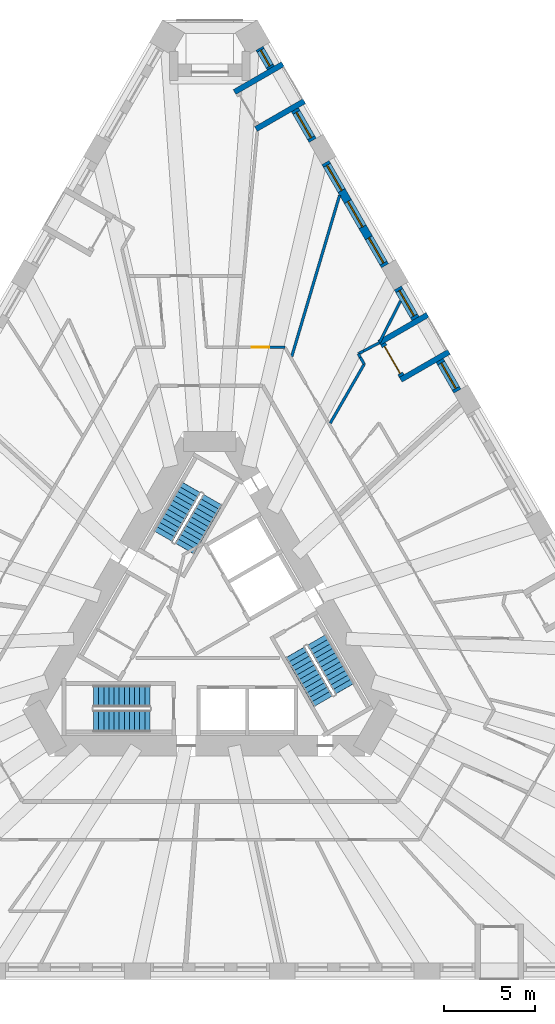
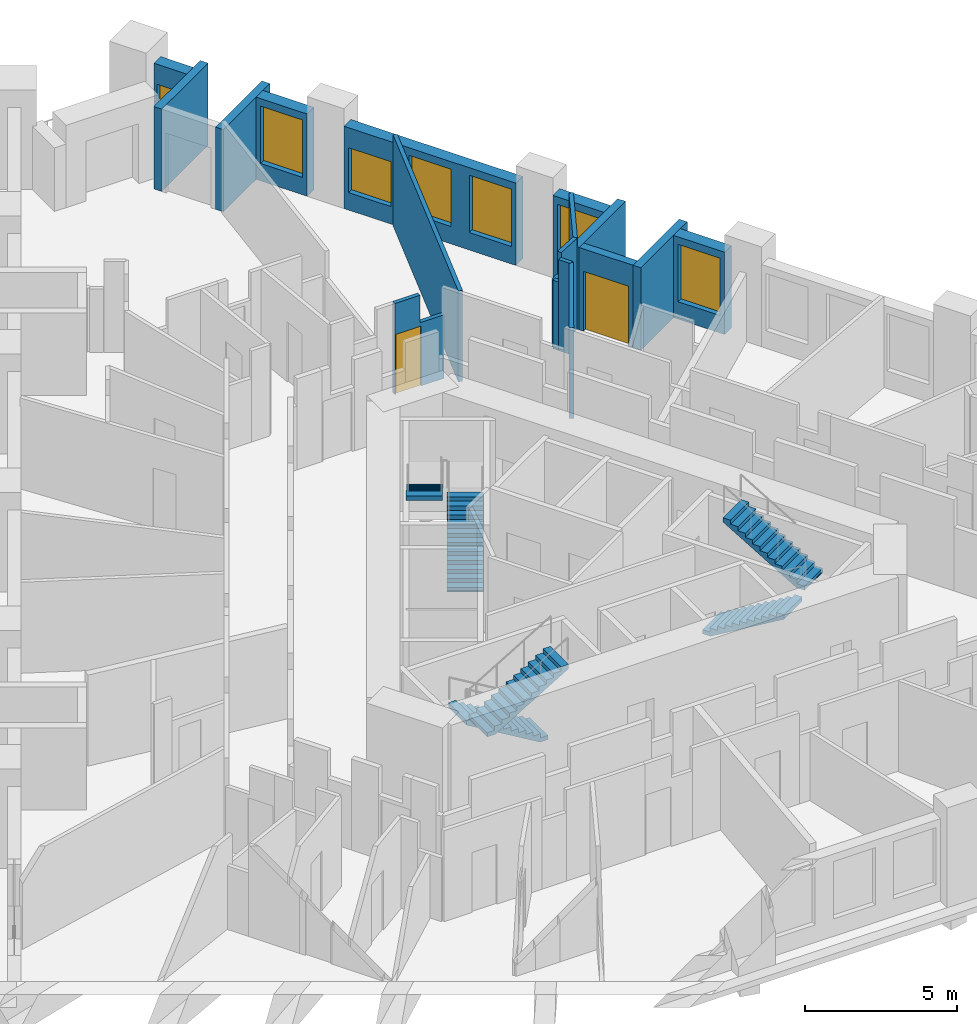
# One storey, part 10 of 14: 18 walls, 7 windows, 6 stair flights, 2 doors, 9 openings, 3 elements without a shape of their own.
"""IFC4 building model written with IfcOpenShell, lengths in metres."""

import ifcopenshell
import ifcopenshell.guid

model = None  # the IFC model being written
_history = None  # IfcOwnerHistory: only IFC2X3 demands one
_inside = {}  # id of a spatial element -> (the spatial element, [elements in it])
_under = {}  # id of a project, library or spatial element -> (it, [spatial elements below it])
_declared = {}  # id of a project -> (the project, [libraries it declares])
_typed = {}  # id of a type object -> (the type object, [elements of that type])
_made_of = {}  # id of a material, layer set ... -> (it, [elements and type objects made of it])


def new_model(schema):
    """Start an empty IFC model of exactly this schema.

    Asked for "IFC4X3", IfcOpenShell would pick the latest addendum, in which some entities
    have other attributes; the version numbers below select the first issue.
    IFC2X3 requires an IfcOwnerHistory on every rooted entity: one is made here for all.
    """
    global model, _history
    if schema == "IFC4X3":
        model = ifcopenshell.file(schema_version=(4, 3, 0, 0))
    else:
        model = ifcopenshell.file(schema=schema)
    _inside.clear()
    _under.clear()
    _declared.clear()
    _typed.clear()
    _made_of.clear()
    _history = None
    if model.schema == "IFC2X3":
        org = make("IfcOrganization", Name="unknown")
        user = make(
            "IfcPersonAndOrganization",
            ThePerson=make("IfcPerson", FamilyName="unknown"),
            TheOrganization=org,
        )
        app = make(
            "IfcApplication",
            ApplicationDeveloper=org,
            Version="unknown",
            ApplicationFullName="unknown",
            ApplicationIdentifier="unknown",
        )
        _history = make(
            "IfcOwnerHistory",
            OwningUser=user,
            OwningApplication=app,
            ChangeAction="ADDED",
            CreationDate=0,
        )
    return model


def make(cls, **values):
    """One entity of the class cls with the attributes given. An attribute that is None is left unset."""
    return model.create_entity(
        cls, **{name: value for name, value in values.items() if value is not None}
    )


def rooted(cls, **values):
    """An entity with a GlobalId (a new one), such as an element, a storey or a relation."""
    return make(cls, GlobalId=ifcopenshell.guid.new(), OwnerHistory=_history, **values)


def si_unit(unit_type, name, prefix=None):
    """IfcSIUnit, for example si_unit("LENGTHUNIT", "METRE", prefix="MILLI")."""
    return make("IfcSIUnit", UnitType=unit_type, Prefix=prefix, Name=name)


def assignment(units):
    """IfcUnitAssignment: the units of a project."""
    return None if units is None else make("IfcUnitAssignment", Units=units)


def point(xyz):
    """IfcCartesianPoint."""
    return None if xyz is None else make("IfcCartesianPoint", Coordinates=xyz)


def direction(xyz):
    """IfcDirection."""
    return None if xyz is None else make("IfcDirection", DirectionRatios=xyz)


def frame(location, z_axis=None, x_axis=None):
    """IfcAxis2Placement3D, a coordinate frame: its origin and axes. An axis left out is left unset."""
    return make(
        "IfcAxis2Placement3D",
        Location=point(location),
        Axis=direction(z_axis),
        RefDirection=direction(x_axis),
    )


def frame_2d(location, x_axis=None):
    """IfcAxis2Placement2D, a coordinate frame in the plane: its origin and x axis."""
    return make(
        "IfcAxis2Placement2D", Location=point(location), RefDirection=direction(x_axis)
    )


def origin():
    """The frame at (0, 0, 0) with its axes left unset."""
    return frame((0.0, 0.0, 0.0))


def place(relative_to, where):
    """IfcLocalPlacement: puts the frame where relative to a parent placement (None: the world)."""
    return make(
        "IfcLocalPlacement", PlacementRelTo=relative_to, RelativePlacement=where
    )


def context(
    kind, dimensions, precision=None, world=None, true_north=None, identifier=None
):
    """IfcGeometricRepresentationContext, for example the 3D "Model" context."""
    return make(
        "IfcGeometricRepresentationContext",
        ContextIdentifier=identifier,
        ContextType=kind,
        CoordinateSpaceDimension=dimensions,
        Precision=precision,
        WorldCoordinateSystem=world,
        TrueNorth=true_north,
    )


def subcontext(parent, identifier, kind, view, scale=None):
    """IfcGeometricRepresentationSubContext, for example "Body" below "Model"."""
    return make(
        "IfcGeometricRepresentationSubContext",
        ContextIdentifier=identifier,
        ContextType=kind,
        ParentContext=parent,
        TargetScale=scale,
        TargetView=view,
    )


def project(units=None, contexts=None):
    """IfcProject with its units and contexts."""
    return rooted(
        "IfcProject",
        Name="project",
        RepresentationContexts=contexts,
        UnitsInContext=assignment(units),
    )


def spatial(cls, under=None, at=None, **own):
    """A site, building, storey or space (cls), placed at a placement, below another one or the project."""
    s = rooted(cls, ObjectPlacement=at, **own)
    if under is not None:
        _under.setdefault(under.id(), (under, []))[1].append(s)
    return s


def polyline(points):
    """IfcPolyline through the points."""
    return make("IfcPolyline", Points=[point(p) for p in points])


def profile(cls, at=None, kind="AREA", **sizes):
    """A parametric profile (cls). Its sizes go by their IFC names, for example OverallWidth=200.0."""
    return make(cls, ProfileType=kind, Position=at, **sizes)


def rectangle(**sizes):
    """IfcRectangleProfileDef."""
    return profile("IfcRectangleProfileDef", **sizes)


def outline(outer, holes=None, kind="AREA"):
    """IfcArbitraryClosedProfileDef: a profile drawn as a closed curve; with holes, ...WithVoids."""
    if holes is None:
        return make("IfcArbitraryClosedProfileDef", ProfileType=kind, OuterCurve=outer)
    return make(
        "IfcArbitraryProfileDefWithVoids",
        ProfileType=kind,
        OuterCurve=outer,
        InnerCurves=holes,
    )


def extrude(swept, where, along, depth):
    """IfcExtrudedAreaSolid: the profile swept, set in the frame where, extruded along a direction by depth."""
    return make(
        "IfcExtrudedAreaSolid",
        SweptArea=swept,
        Position=where,
        ExtrudedDirection=direction(along),
        Depth=depth,
    )


def shape(context_of_items, identifier, shape_type, items):
    """IfcShapeRepresentation: the items that make up one representation, for example the "Body"."""
    return make(
        "IfcShapeRepresentation",
        ContextOfItems=context_of_items,
        RepresentationIdentifier=identifier,
        RepresentationType=shape_type,
        Items=items,
    )


def material(Name=None, Category=None):
    """IfcMaterial."""
    return make("IfcMaterial", Name=Name, Category=Category)


def layer(
    of_material, thickness, ventilated=None, Name=None, Category=None, Priority=None
):
    """IfcMaterialLayer: one layer of a wall or slab, of a material (None: an air gap)."""
    return make(
        "IfcMaterialLayer",
        Material=of_material,
        LayerThickness=thickness,
        IsVentilated=ventilated,
        Name=Name,
        Category=Category,
        Priority=Priority,
    )


def layer_set(layers, Name=None):
    """IfcMaterialLayerSet."""
    return make("IfcMaterialLayerSet", MaterialLayers=layers, LayerSetName=Name)


def made_of(thing, what):
    """Note that an element or type object is made of a material, layer set ...; save() writes the relation."""
    if what is not None:
        _made_of.setdefault(what.id(), (what, []))[1].append(thing)
    return thing


def type_object(cls, material=None, **own):
    """A type object (cls), such as IfcWallType, which elements share."""
    return made_of(rooted(cls, **own), material)


def element(
    cls,
    number,
    at=None,
    inside=None,
    cuts=None,
    type_object=None,
    material=None,
    context=None,
    identifier="Body",
    shape_type=None,
    held_by="IfcProductDefinitionShape",
    body=None,
    shapes=None,
    **own,
):
    """One element of the class cls, such as IfcWall. Its Tag is "e" and its number.

    at: its placement. inside: the storey or other place that contains it. cuts: it is an
    opening in that element (IfcRelVoidsElement). A single representation is given by context,
    identifier, shape_type and body (its items); several are given by shapes. held_by: the class
    of the entity that holds the representations. save() writes the other relations.
    """
    e = rooted(cls, Tag="e%d" % number, ObjectPlacement=at, **own)
    if body is not None:
        shapes = [shape(context, identifier, shape_type, body)]
    if shapes is not None:
        e.Representation = make(held_by, Representations=shapes)
    if inside is not None:
        _inside.setdefault(inside.id(), (inside, []))[1].append(e)
    if cuts is not None:
        rooted(
            "IfcRelVoidsElement", RelatingBuildingElement=cuts, RelatedOpeningElement=e
        )
    if type_object is not None:
        _typed.setdefault(type_object.id(), (type_object, []))[1].append(e)
    return made_of(e, material)


def fill(opening, filler):
    """IfcRelFillsElement: the door or window that sits in an opening."""
    return rooted(
        "IfcRelFillsElement",
        RelatingOpeningElement=opening,
        RelatedBuildingElement=filler,
    )


def aggregate(whole, parts):
    """IfcRelAggregates: a whole, such as a stair, and the parts it consists of."""
    return rooted("IfcRelAggregates", RelatingObject=whole, RelatedObjects=parts)


def save(model, path):
    """Write the relations noted so far, then the file.

    IfcRelAggregates (storeys below a building ...), IfcRelContainedInSpatialStructure (elements
    in a storey), IfcRelDefinesByType, IfcRelAssociatesMaterial and IfcRelDeclares: one each for
    every whole, place, type object, material and project.
    """
    for whole, parts in _under.values():
        aggregate(whole, parts)
    for where, things in _inside.values():
        rooted(
            "IfcRelContainedInSpatialStructure",
            RelatedElements=things,
            RelatingStructure=where,
        )
    for kind, things in _typed.values():
        rooted("IfcRelDefinesByType", RelatedObjects=things, RelatingType=kind)
    for what, things in _made_of.values():
        rooted("IfcRelAssociatesMaterial", RelatedObjects=things, RelatingMaterial=what)
    for by, libraries in _declared.values():
        rooted("IfcRelDeclares", RelatingContext=by, RelatedDefinitions=libraries)
    model.write(path)


model = new_model("IFC4")

# Units and contexts
model_context = context("Model", 3, precision=1e-05, world=origin(), true_north=direction((0.0, 1.0)))
body_context = subcontext(model_context, "Body", "Model", "MODEL_VIEW")
ifc_project = project(units=[si_unit("LENGTHUNIT", "METRE"), si_unit("AREAUNIT", "SQUARE_METRE"), si_unit("VOLUMEUNIT", "CUBIC_METRE"), si_unit("PLANEANGLEUNIT", "RADIAN"), si_unit("MASSUNIT", "GRAM", prefix="KILO")], contexts=[model_context])

# Site, building, storey
site_placement = place(None, origin())
site = spatial("IfcSite", under=ifc_project, at=site_placement, CompositionType="ELEMENT")
building_placement = place(site_placement, origin())
building = spatial("IfcBuilding", under=site, at=building_placement, Name="Tramontana Tower", CompositionType="ELEMENT")
storey_placement = place(building_placement, frame((0.0, 0.0, 30.0)))
storey = spatial("IfcBuildingStorey", under=building, at=storey_placement, Name="L05", CompositionType="ELEMENT", Elevation=30.0)

# Wall, opening, window
ifc_material_1 = material(Name="Precast concrete 60 MPa", Category="concrete")
ifc_layer_1 = layer(ifc_material_1, 0.449951171875)
ifc_layer_set_1 = layer_set([ifc_layer_1], Name="Precast concrete 60 MPa, 450 mm")
wall_type_1 = type_object("IfcWallType", Name="EW1 Stone-faced precast wall 450", PredefinedType="SOLIDWALL", material=ifc_layer_set_1)
wall_1_placement = place(storey_placement, frame((13.54052734375, 13.197265625, 0.0), z_axis=(0.0, 0.0, 1.0), x_axis=(-0.500038474733, 0.866003189247, 0.0)))
wall_1 = element("IfcWall", 1, at=wall_1_placement, inside=storey, type_object=wall_type_1, Name="External wall L05 face 2 bay 5", PredefinedType="SOLIDWALL", context=body_context, shape_type="SweptSolid", body=[
    extrude(rectangle(XDim=1.939208984375, YDim=0.449951171875, at=frame_2d((0.9697265625, 0.0))), origin(), (0.0, 0.0, 1.0), 3.300048828125),
])
opening_1_placement = place(wall_1_placement, frame((0.169677734375, 0.0, 0.699951171875)))
opening_1 = element("IfcOpeningElement", 2, at=opening_1_placement, cuts=wall_1, Name="Opening M1", PredefinedType="OPENING", context=body_context, shape_type="SweptSolid", body=[
    extrude(rectangle(XDim=1.60009765625, YDim=2.300048828125, at=frame_2d((0.800048828125, 1.14990234375))), frame((0.0, 0.23486328125, 0.0), z_axis=(0.0, -1.0, 0.0), x_axis=(1.0, 0.0, 0.0)), (0.0, 0.0, 1.0), 0.469970703125),
])
ifc_material_2 = material(Name="Aluminum frame, double glazing unit", Category="aluminium")
window_type_1 = type_object("IfcWindowType", Name="M1 Window 1.6 x 2.3", PartitioningType="SINGLE_PANEL", PredefinedType="WINDOW", material=ifc_material_2)
window_1_placement = place(opening_1_placement, origin())
window_1 = element("IfcWindow", 3, at=window_1_placement, inside=storey, type_object=window_type_1, Name="Window M1 L05 face 2 module 13", OverallHeight=2.300048828125, OverallWidth=1.60009765625, PartitioningType="SINGLE_PANEL", PredefinedType="WINDOW", context=body_context, shape_type="SweptSolid", body=[
    extrude(rectangle(XDim=1.60009765625, YDim=2.300048828125, at=frame_2d((0.800048828125, 1.14990234375))), frame((0.0, 0.030029296875, 0.0), z_axis=(0.0, -1.0, 0.0), x_axis=(1.0, 0.0, 0.0)), (0.0, 0.0, 1.0), 0.06005859375),
])
fill(opening_1, window_1)

wall_2_placement = place(storey_placement, frame((11.251220703125, 17.16259765625, 0.0), z_axis=(0.0, 0.0, 1.0), x_axis=(-0.500038474733, 0.866003189247, 0.0)))
wall_2 = element("IfcWall", 4, at=wall_2_placement, inside=storey, type_object=wall_type_1, Name="External wall L05 face 2 bay 5", PredefinedType="SOLIDWALL", context=body_context, shape_type="SweptSolid", body=[
    extrude(rectangle(XDim=1.939208984375, YDim=0.449951171875, at=frame_2d((0.9697265625, 0.0))), origin(), (0.0, 0.0, 1.0), 3.300048828125),
])
opening_2_placement = place(wall_2_placement, frame((0.169677734375, 0.0, 0.699951171875)))
opening_2 = element("IfcOpeningElement", 5, at=opening_2_placement, cuts=wall_2, Name="Opening M1", PredefinedType="OPENING", context=body_context, shape_type="SweptSolid", body=[
    extrude(rectangle(XDim=1.60009765625, YDim=2.300048828125, at=frame_2d((0.800048828125, 1.14990234375))), frame((0.0, 0.23486328125, 0.0), z_axis=(0.0, -1.0, 0.0), x_axis=(1.0, 0.0, 0.0)), (0.0, 0.0, 1.0), 0.469970703125),
])
window_2_placement = place(opening_2_placement, origin())
window_2 = element("IfcWindow", 6, at=window_2_placement, inside=storey, type_object=window_type_1, Name="Window M1 L05 face 2 module 15", OverallHeight=2.300048828125, OverallWidth=1.60009765625, PartitioningType="SINGLE_PANEL", PredefinedType="WINDOW", context=body_context, shape_type="SweptSolid", body=[
    extrude(rectangle(XDim=1.60009765625, YDim=2.300048828125, at=frame_2d((0.800048828125, 1.14990234375))), frame((0.0, 0.030029296875, 0.0), z_axis=(0.0, -1.0, 0.0), x_axis=(1.0, 0.0, 0.0)), (0.0, 0.0, 1.0), 0.06005859375),
])
fill(opening_2, window_2)

# Wall, openings, windows
wall_3_placement = place(storey_placement, frame((9.58154296875, 20.054443359375, 0.0), z_axis=(0.0, 0.0, 1.0), x_axis=(-0.500002371706, 0.866024034475, 0.0)))
wall_3 = element("IfcWall", 7, at=wall_3_placement, inside=storey, type_object=wall_type_1, Name="External wall L05 face 2 bay 6", PredefinedType="SOLIDWALL", context=body_context, shape_type="SweptSolid", body=[
    extrude(rectangle(XDim=6.51806640625, YDim=0.449951171875, at=frame_2d((3.259033203125, 0.0))), origin(), (0.0, 0.0, 1.0), 3.300048828125),
])
opening_3_placement = place(wall_3_placement, frame((0.169677734375, 0.0, 0.699951171875)))
opening_3 = element("IfcOpeningElement", 8, at=opening_3_placement, cuts=wall_3, Name="Opening M1", PredefinedType="OPENING", context=body_context, shape_type="SweptSolid", body=[
    extrude(rectangle(XDim=1.60009765625, YDim=2.300048828125, at=frame_2d((0.800048828125, 1.14990234375))), frame((0.0, 0.23486328125, 0.0), z_axis=(0.0, -1.0, 0.0), x_axis=(1.0, 0.0, 0.0)), (0.0, 0.0, 1.0), 0.469970703125),
])
opening_4_placement = place(wall_3_placement, frame((2.458984375, 0.0, 0.699951171875)))
opening_4 = element("IfcOpeningElement", 9, at=opening_4_placement, cuts=wall_3, Name="Opening M1", PredefinedType="OPENING", context=body_context, shape_type="SweptSolid", body=[
    extrude(rectangle(XDim=1.60009765625, YDim=2.300048828125, at=frame_2d((0.800048828125, 1.14990234375))), frame((0.0, 0.23486328125, 0.0), z_axis=(0.0, -1.0, 0.0), x_axis=(1.0, 0.0, 0.0)), (0.0, 0.0, 1.0), 0.469970703125),
])
opening_5_placement = place(wall_3_placement, frame((4.748291015625, 0.0, 0.699951171875)))
opening_5 = element("IfcOpeningElement", 10, at=opening_5_placement, cuts=wall_3, Name="Opening M1L", PredefinedType="OPENING", context=body_context, shape_type="SweptSolid", body=[
    extrude(rectangle(XDim=1.60009765625, YDim=1.800048828125, at=frame_2d((0.800048828125, 0.89990234375))), frame((0.0, 0.23486328125, 0.0), z_axis=(0.0, -1.0, 0.0), x_axis=(1.0, 0.0, 0.0)), (0.0, 0.0, 1.0), 0.469970703125),
])
window_3_placement = place(opening_3_placement, origin())
window_3 = element("IfcWindow", 11, at=window_3_placement, inside=storey, type_object=window_type_1, Name="Window M1 L05 face 2 module 16", OverallHeight=2.300048828125, OverallWidth=1.60009765625, PartitioningType="SINGLE_PANEL", PredefinedType="WINDOW", context=body_context, shape_type="SweptSolid", body=[
    extrude(rectangle(XDim=1.60009765625, YDim=2.300048828125, at=frame_2d((0.800048828125, 1.14990234375))), frame((0.0, 0.030029296875, 0.0), z_axis=(0.0, -1.0, 0.0), x_axis=(1.0, 0.0, 0.0)), (0.0, 0.0, 1.0), 0.06005859375),
])
fill(opening_3, window_3)
window_4_placement = place(opening_4_placement, origin())
window_4 = element("IfcWindow", 12, at=window_4_placement, inside=storey, type_object=window_type_1, Name="Window M1 L05 face 2 module 17", OverallHeight=2.300048828125, OverallWidth=1.60009765625, PartitioningType="SINGLE_PANEL", PredefinedType="WINDOW", context=body_context, shape_type="SweptSolid", body=[
    extrude(rectangle(XDim=1.60009765625, YDim=2.300048828125, at=frame_2d((0.800048828125, 1.14990234375))), frame((0.0, 0.030029296875, 0.0), z_axis=(0.0, -1.0, 0.0), x_axis=(1.0, 0.0, 0.0)), (0.0, 0.0, 1.0), 0.06005859375),
])
fill(opening_4, window_4)
ifc_material_3 = material(Name="Aluminum frame, double glazing unit", Category="aluminium")
window_type_2 = type_object("IfcWindowType", Name="M1L Window 1.6 x 1.8", PartitioningType="SINGLE_PANEL", PredefinedType="WINDOW", material=ifc_material_3)
window_5_placement = place(opening_5_placement, origin())
window_5 = element("IfcWindow", 13, at=window_5_placement, inside=storey, type_object=window_type_2, Name="Window M1L L05 face 2 module 18", OverallHeight=1.800048828125, OverallWidth=1.60009765625, PartitioningType="SINGLE_PANEL", PredefinedType="WINDOW", context=body_context, shape_type="SweptSolid", body=[
    extrude(rectangle(XDim=1.60009765625, YDim=1.800048828125, at=frame_2d((0.800048828125, 0.89990234375))), frame((0.0, 0.030029296875, 0.0), z_axis=(0.0, -1.0, 0.0), x_axis=(1.0, 0.0, 0.0)), (0.0, 0.0, 1.0), 0.06005859375),
])
fill(opening_5, window_5)

# Wall, opening, window
wall_4_placement = place(storey_placement, frame((5.62255859375, 26.91162109375, 0.0), z_axis=(0.0, 0.0, 1.0), x_axis=(-0.500038474733, 0.866003189247, 0.0)))
wall_4 = element("IfcWall", 14, at=wall_4_placement, inside=storey, type_object=wall_type_1, Name="External wall L05 face 2 bay 7", PredefinedType="SOLIDWALL", context=body_context, shape_type="SweptSolid", body=[
    extrude(rectangle(XDim=1.939208984375, YDim=0.449951171875, at=frame_2d((0.9697265625, 0.0))), origin(), (0.0, 0.0, 1.0), 3.300048828125),
])
opening_6_placement = place(wall_4_placement, frame((0.169677734375, 0.0, 0.699951171875)))
opening_6 = element("IfcOpeningElement", 15, at=opening_6_placement, cuts=wall_4, Name="Opening M1", PredefinedType="OPENING", context=body_context, shape_type="SweptSolid", body=[
    extrude(rectangle(XDim=1.60009765625, YDim=2.300048828125, at=frame_2d((0.800048828125, 1.14990234375))), frame((0.0, 0.23486328125, 0.0), z_axis=(0.0, -1.0, 0.0), x_axis=(1.0, 0.0, 0.0)), (0.0, 0.0, 1.0), 0.469970703125),
])
window_6_placement = place(opening_6_placement, origin())
window_6 = element("IfcWindow", 16, at=window_6_placement, inside=storey, type_object=window_type_1, Name="Window M1 L05 face 2 module 19", OverallHeight=2.300048828125, OverallWidth=1.60009765625, PartitioningType="SINGLE_PANEL", PredefinedType="WINDOW", context=body_context, shape_type="SweptSolid", body=[
    extrude(rectangle(XDim=1.60009765625, YDim=2.300048828125, at=frame_2d((0.800048828125, 1.14990234375))), frame((0.0, 0.030029296875, 0.0), z_axis=(0.0, -1.0, 0.0), x_axis=(1.0, 0.0, 0.0)), (0.0, 0.0, 1.0), 0.06005859375),
])
fill(opening_6, window_6)

wall_5_placement = place(storey_placement, frame((3.333251953125, 30.876708984375, 0.0), z_axis=(0.0, 0.0, 1.0), x_axis=(-0.499995303914, 0.866028115054, 0.0)))
wall_5 = element("IfcWall", 17, at=wall_5_placement, inside=storey, type_object=wall_type_1, Name="External wall L05 face 2 bay 7", PredefinedType="SOLIDWALL", context=body_context, shape_type="SweptSolid", body=[
    extrude(rectangle(XDim=1.2392578125, YDim=0.449951171875, at=frame_2d((0.61962890625, 0.0))), origin(), (0.0, 0.0, 1.0), 3.300048828125),
])
opening_7_placement = place(wall_5_placement, frame((0.11962890625, 0.0, 0.699951171875)))
opening_7 = element("IfcOpeningElement", 18, at=opening_7_placement, cuts=wall_5, Name="Opening N1L", PredefinedType="OPENING", context=body_context, shape_type="SweptSolid", body=[
    extrude(rectangle(XDim=1.0, YDim=1.800048828125, at=frame_2d((0.5, 0.89990234375))), frame((0.0, 0.23486328125, 0.0), z_axis=(0.0, -1.0, 0.0), x_axis=(1.0, 0.0, 0.0)), (0.0, 0.0, 1.0), 0.469970703125),
])
ifc_material_4 = material(Name="Aluminum frame, double glazing unit", Category="aluminium")
window_type_3 = type_object("IfcWindowType", Name="N1L Window 1 x 1.8", PartitioningType="SINGLE_PANEL", PredefinedType="WINDOW", material=ifc_material_4)
window_7_placement = place(opening_7_placement, origin())
window_7 = element("IfcWindow", 19, at=window_7_placement, inside=storey, type_object=window_type_3, Name="Window N1L L05 face 2 module 21", OverallHeight=1.800048828125, OverallWidth=1.0, PartitioningType="SINGLE_PANEL", PredefinedType="WINDOW", context=body_context, shape_type="SweptSolid", body=[
    extrude(rectangle(XDim=1.0, YDim=1.800048828125, at=frame_2d((0.5, 0.89990234375))), frame((0.0, 0.030029296875, 0.0), z_axis=(0.0, -1.0, 0.0), x_axis=(1.0, 0.0, 0.0)), (0.0, 0.0, 1.0), 0.06005859375),
])
fill(opening_7, window_7)

# Wall, opening, door
ifc_material_5 = material(Name="Precast concrete 60 MPa", Category="concrete")
ifc_layer_2 = layer(ifc_material_5, 0.300048828125)
ifc_layer_set_2 = layer_set([ifc_layer_2], Name="LW1 Stone-faced loggia wall 300")
wall_type_2 = type_object("IfcWallType", Name="LW1 Stone-faced loggia wall 300", PredefinedType="SOLIDWALL", material=ifc_layer_set_2)
wall_6_placement = place(storey_placement, frame((10.493896484375, 14.024169921875, 0.0), z_axis=(0.0, 0.0, 1.0), x_axis=(-0.500040236659, 0.866002171892, 0.0)))
wall_6 = element("IfcWall", 20, at=wall_6_placement, inside=storey, type_object=wall_type_2, Name="Loggia wall L05 G0S2.13", PredefinedType="SOLIDWALL", context=body_context, shape_type="SweptSolid", body=[
    extrude(rectangle(XDim=2.039306640625, YDim=0.300048828125, at=frame_2d((1.01953125, 0.0))), origin(), (0.0, 0.0, 1.0), 3.300048828125),
])
opening_8_placement = place(wall_6_placement, frame((0.169677734375, 0.0, 0.0)))
opening_8 = element("IfcOpeningElement", 21, at=opening_8_placement, cuts=wall_6, Name="Opening BD-0S2-13", PredefinedType="OPENING", context=body_context, shape_type="SweptSolid", body=[
    extrude(rectangle(XDim=1.699951171875, YDim=2.39990234375, at=frame_2d((0.85009765625, 1.199951171875))), frame((0.0, 0.159912109375, 0.0), z_axis=(0.0, -1.0, 0.0), x_axis=(1.0, 0.0, 0.0)), (0.0, 0.0, 1.0), 0.320068359375),
])
ifc_material_6 = material(Name="Aluminum frame, double glazing unit", Category="aluminium")
door_type_1 = type_object("IfcDoorType", Name="BD1 Sliding door 1.7 x 2.4", OperationType="SLIDING_TO_LEFT", PredefinedType="DOOR", material=ifc_material_6)
door_1_placement = place(opening_8_placement, origin())
door_1 = element("IfcDoor", 22, at=door_1_placement, inside=storey, type_object=door_type_1, Name="Loggia door L05 G0S2.13", OperationType="SLIDING_TO_LEFT", OverallHeight=2.39990234375, OverallWidth=1.699951171875, PredefinedType="DOOR", context=body_context, shape_type="SweptSolid", body=[
    extrude(rectangle(XDim=1.699951171875, YDim=2.39990234375, at=frame_2d((0.85009765625, 1.199951171875))), frame((0.0, 0.02490234375, 0.0), z_axis=(0.0, -1.0, 0.0), x_axis=(1.0, 0.0, 0.0)), (0.0, 0.0, 1.0), 0.050048828125),
])
fill(opening_8, door_1)

# Walls
for number, where, z_axis, x_axis, name in (
    (23, (13.080322265625, 15.34423828125, 0.0), (0.0, 0.0, 1.0), (-0.8660029625, -0.500038867431, 0.0), "Loggia return L05 G0S2.13a"),
    (24, (11.91064453125, 17.3701171875, 0.0), (0.0, 0.0, 1.0), (-0.866037623948, -0.499978833458, 0.0), "Loggia return L05 G0S2.13b"),
    (25, (5.162353515625, 29.05859375, 0.0), (0.0, 0.0, 1.0), (-0.8660029625, -0.500038867431, 0.0), "Loggia return L05 G0S2.19a"),
    (26, (3.99267578125, 31.08447265625, 0.0), (0.0, 0.0, 1.0), (-0.8660029625, -0.500038867431, 0.0), "Loggia return L05 G0S2.19b"),
):
    element("IfcWall", number, at=place(storey_placement, frame(where, z_axis=z_axis, x_axis=x_axis)), inside=storey, type_object=wall_type_2, Name=name, PredefinedType="SOLIDWALL", context=body_context, shape_type="SweptSolid", body=[
        extrude(rectangle(XDim=3.050048828125, YDim=0.300048828125, at=frame_2d((1.52490234375, 0.0))), origin(), (0.0, 0.0, 1.0), 3.300048828125),
    ])

# Wall, opening, door
ifc_material_7 = material(Name="Gypsum board partition")
ifc_layer_3 = layer(ifc_material_7, 0.14990234375)
ifc_layer_set_3 = layer_set([ifc_layer_3], Name="PARTITION 150")
wall_type_3 = type_object("IfcWallType", Name="PARTITION 150", PredefinedType="PARTITIONING", material=ifc_layer_set_3)
wall_7_placement = place(storey_placement, frame((2.241943359375, 15.60009765625, 0.0), z_axis=(0.0, 0.0, 1.0), x_axis=(1.0, 0.0, 0.0)))
wall_7 = element("IfcWall", 27, at=wall_7_placement, inside=storey, type_object=wall_type_3, Name="Wall v01-pw32-3", PredefinedType="PARTITIONING", context=body_context, shape_type="SweptSolid", body=[
    extrude(outline(polyline([(0.0, 0.0), (1.857177734375, 0.0), (1.857177734375, 2.550048828125), (0.95068359375, 2.550048828125), (0.95068359375, 3.64990234375), (0.0, 3.64990234375), (0.0, 0.0)])), frame((0.0, 0.074951171875, 0.0), z_axis=(0.0, -1.0, 0.0), x_axis=(1.0, 0.0, 0.0)), (0.0, 0.0, 1.0), 0.14990234375),
])
opening_9_placement = place(wall_7_placement, frame((0.050048828125, 0.0, 0.0)))
opening_9 = element("IfcOpeningElement", 28, at=opening_9_placement, cuts=wall_7, Name="Opening B0B-04", PredefinedType="OPENING", context=body_context, shape_type="SweptSolid", body=[
    extrude(rectangle(XDim=0.949951171875, YDim=2.39990234375, at=frame_2d((0.47509765625, 1.199951171875))), frame((0.0, 0.0849609375, 0.0), z_axis=(0.0, -1.0, 0.0), x_axis=(1.0, 0.0, 0.0)), (0.0, 0.0, 1.0), 0.169921875),
])
ifc_material_8 = material(Name="Painted timber", Category="wood")
door_type_2 = type_object("IfcDoorType", Name="DOOR ROOM 950", OperationType="SINGLE_SWING_LEFT", PredefinedType="DOOR", material=ifc_material_8)
door_2_placement = place(opening_9_placement, origin())
door_2 = element("IfcDoor", 29, at=door_2_placement, inside=storey, type_object=door_type_2, Name="Door B0B-04", OperationType="SINGLE_SWING_RIGHT", OverallHeight=2.39990234375, OverallWidth=0.949951171875, PredefinedType="DOOR", context=body_context, shape_type="SweptSolid", body=[
    extrude(rectangle(XDim=0.949951171875, YDim=2.39990234375, at=frame_2d((0.47509765625, 1.199951171875))), frame((0.0, 0.02490234375, 0.0), z_axis=(0.0, -1.0, 0.0), x_axis=(1.0, 0.0, 0.0)), (0.0, 0.0, 1.0), 0.050048828125),
])
fill(opening_9, door_2)

# Walls
wall_8_placement = place(storey_placement, frame((7.09716796875, 23.9072265625, 0.0), z_axis=(0.0, 0.0, 1.0), x_axis=(-0.284572748927, -0.958654447947, 0.0)))
element("IfcWall", 30, at=wall_8_placement, inside=storey, type_object=wall_type_3, Name="Wall v01-pw36", PredefinedType="PARTITIONING", context=body_context, shape_type="SweptSolid", body=[
    extrude(rectangle(XDim=9.197021484375, YDim=0.14990234375, at=frame_2d((4.5986328125, 0.0))), origin(), (0.0, 0.0, 1.0), 3.64990234375),
])
wall_9_placement = place(storey_placement, frame((8.119140625, 15.23681640625, 0.0), z_axis=(0.0, 0.0, 1.0), x_axis=(0.500145924473, -0.865941137857, 0.0)))
element("IfcWall", 31, at=wall_9_placement, inside=storey, type_object=wall_type_3, Name="Wall v01-pw38-0", PredefinedType="PARTITIONING", context=body_context, shape_type="SweptSolid", body=[
    extrude(rectangle(XDim=0.21630859375, YDim=0.14990234375, at=frame_2d((0.108154296875, 0.0))), origin(), (0.0, 0.0, 1.0), 2.75),
])
wall_10_placement = place(storey_placement, frame((8.227294921875, 15.049560546875, 0.0), z_axis=(0.0, 0.0, 1.0), x_axis=(0.500062521093, -0.865989304205, 0.0)))
element("IfcWall", 32, at=wall_10_placement, inside=storey, type_object=wall_type_3, Name="Wall v01-pw38-1", PredefinedType="PARTITIONING", context=body_context, shape_type="SweptSolid", body=[
    extrude(rectangle(XDim=0.43505859375, YDim=0.14990234375, at=frame_2d((0.217529296875, 0.0))), origin(), (0.0, 0.0, 1.0), 3.64990234375),
])
wall_11_placement = place(storey_placement, frame((8.44482421875, 14.672607421875, 0.0), z_axis=(0.0, 0.0, 1.0), x_axis=(-0.498831737115, -0.86669885084, 0.0)))
element("IfcWall", 33, at=wall_11_placement, inside=storey, type_object=wall_type_3, Name="Wall v01-pw39", PredefinedType="PARTITIONING", context=body_context, shape_type="SweptSolid", body=[
    extrude(rectangle(XDim=3.7265625, YDim=0.14990234375, at=frame_2d((1.86328125, 0.0))), origin(), (0.0, 0.0, 1.0), 3.64990234375),
])
wall_12_placement = place(storey_placement, frame((9.269287109375, 15.84521484375, 0.0), z_axis=(0.0, 0.0, 1.0), x_axis=(-0.884599014188, -0.46635242478, 0.0)))
element("IfcWall", 34, at=wall_12_placement, inside=storey, type_object=wall_type_3, Name="Wall v01-pw42-0", PredefinedType="PARTITIONING", context=body_context, shape_type="SweptSolid", body=[
    extrude(rectangle(XDim=0.9794921875, YDim=0.14990234375, at=frame_2d((0.48974609375, 0.0))), origin(), (0.0, 0.0, 1.0), 3.64990234375),
])
wall_13_placement = place(storey_placement, frame((8.40283203125, 15.388427734375, 0.0), z_axis=(0.0, 0.0, 1.0), x_axis=(-0.884918222382, -0.465746432833, 0.0)))
element("IfcWall", 35, at=wall_13_placement, inside=storey, type_object=wall_type_3, Name="Wall v01-pw42-1", PredefinedType="PARTITIONING", context=body_context, shape_type="SweptSolid", body=[
    extrude(rectangle(XDim=0.31982421875, YDim=0.14990234375, at=frame_2d((0.159912109375, 0.0))), origin(), (0.0, 0.0, 1.0), 2.75),
])
wall_14_placement = place(storey_placement, frame((10.43359375, 18.12841796875, 0.0), z_axis=(0.0, 0.0, 1.0), x_axis=(-0.45428677253, -0.890855503606, 0.0)))
element("IfcWall", 36, at=wall_14_placement, inside=storey, type_object=wall_type_3, Name="Wall v01-pw44", PredefinedType="PARTITIONING", context=body_context, shape_type="SweptSolid", body=[
    extrude(rectangle(XDim=2.56298828125, YDim=0.14990234375, at=frame_2d((1.281494140625, 0.0))), origin(), (0.0, 0.0, 1.0), 3.64990234375),
])

# Stair, stair flights
ifc_material_9 = material(Name="Concrete 40 MPa", Category="concrete")
stair_type = type_object("IfcStairType", Name="EXIT STAIR 24 RISERS", PredefinedType="HALF_TURN_STAIR", material=ifc_material_9)
stair_1_placement = place(storey_placement, origin())
stair_1 = element("IfcStair", 37, at=stair_1_placement, inside=storey, type_object=stair_type, Name="L05 Exit stair ST1", PredefinedType="HALF_TURN_STAIR")
ifc_material_10 = material(Name="Concrete 40 MPa", Category="concrete")
ifc_layer_4 = layer(ifc_material_10, 0.14990234375)
ifc_layer_set_4 = layer_set([ifc_layer_4], Name="EXIT STAIR FLIGHT")
stair_flight_type = type_object("IfcStairFlightType", Name="EXIT STAIR FLIGHT", PredefinedType="STRAIGHT", material=ifc_layer_set_4)
stair_flight_1_placement = place(storey_placement, frame((-1.39111328125, 4.590576171875, 0.0), z_axis=(0.0, 0.0, 1.0), x_axis=(0.5, 0.866025403784, 0.0)))
stair_flight_1 = element("IfcStairFlight", 38, at=stair_flight_1_placement, type_object=stair_flight_type, Name="ST1 flight 1", NumberOfRisers=12, NumberOfTreads=11, PredefinedType="STRAIGHT", RiserHeight=0.166666667, TreadLength=0.28, context=body_context, shape_type="SweptSolid", body=[
    extrude(outline(polyline([(-0.006103515625, 0.0), (-0.006103515625, 0.0400390625), (0.0, 0.0400390625), (0.0, 0.166748046875), (0.280029296875, 0.166748046875), (0.280029296875, 0.333251953125), (0.56005859375, 0.333251953125), (0.56005859375, 0.5), (0.840087890625, 0.5), (0.840087890625, 0.666748046875), (1.1201171875, 0.666748046875), (1.1201171875, 0.833251953125), (1.39990234375, 0.833251953125), (1.39990234375, 1.0), (1.679931640625, 1.0), (1.679931640625, 1.166748046875), (1.9599609375, 1.166748046875), (1.9599609375, 1.333251953125), (2.239990234375, 1.333251953125), (2.239990234375, 1.5), (2.52001953125, 1.5), (2.52001953125, 1.666748046875), (2.800048828125, 1.666748046875), (2.800048828125, 1.833251953125), (3.080078125, 1.833251953125), (3.0859375, 1.833251953125), (3.0859375, 1.658935546875), (0.299072265625, 0.0), (-0.006103515625, 0.0)])), frame((0.0, 0.60009765625, 0.0), z_axis=(0.0, -1.0, 0.0), x_axis=(1.0, 0.0, 0.0)), (0.0, 0.0, 1.0), 1.199951171875),
])
stair_flight_2_placement = place(storey_placement, frame((-1.020263671875, 7.932861328125, 2.0), z_axis=(0.0, 0.0, 1.0), x_axis=(-0.5, -0.866025403784, 0.0)))
stair_flight_2 = element("IfcStairFlight", 39, at=stair_flight_2_placement, type_object=stair_flight_type, Name="ST1 flight 2", NumberOfRisers=12, NumberOfTreads=11, PredefinedType="STRAIGHT", RiserHeight=0.166666667, TreadLength=0.28, context=body_context, shape_type="SweptSolid", body=[
    extrude(outline(polyline([(-0.006103515625, 0.0), (-0.006103515625, 0.0400390625), (0.0, 0.0400390625), (0.0, 0.166748046875), (0.280029296875, 0.166748046875), (0.280029296875, 0.333251953125), (0.56005859375, 0.333251953125), (0.56005859375, 0.5), (0.840087890625, 0.5), (0.840087890625, 0.666748046875), (1.1201171875, 0.666748046875), (1.1201171875, 0.833251953125), (1.39990234375, 0.833251953125), (1.39990234375, 1.0), (1.679931640625, 1.0), (1.679931640625, 1.166748046875), (1.9599609375, 1.166748046875), (1.9599609375, 1.333251953125), (2.239990234375, 1.333251953125), (2.239990234375, 1.5), (2.52001953125, 1.5), (2.52001953125, 1.666748046875), (2.800048828125, 1.666748046875), (2.800048828125, 1.833251953125), (3.080078125, 1.833251953125), (3.0859375, 1.833251953125), (3.0859375, 1.658935546875), (0.299072265625, 0.0), (-0.006103515625, 0.0)])), frame((0.0, 0.60009765625, 0.0), z_axis=(0.0, -1.0, 0.0), x_axis=(1.0, 0.0, 0.0)), (0.0, 0.0, 1.0), 1.199951171875),
])
aggregate(stair_1, [stair_flight_1, stair_flight_2])

stair_2_placement = place(storey_placement, origin())
stair_2 = element("IfcStair", 40, at=stair_2_placement, inside=storey, type_object=stair_type, Name="L05 Exit stair ST2", PredefinedType="HALF_TURN_STAIR")
stair_flight_3_placement = place(storey_placement, frame((-3.280029296875, -3.5, 0.0), z_axis=(0.0, 0.0, 1.0), x_axis=(-1.0, 0.0, 0.0)))
stair_flight_3 = element("IfcStairFlight", 41, at=stair_flight_3_placement, type_object=stair_flight_type, Name="ST2 flight 1", NumberOfRisers=12, NumberOfTreads=11, PredefinedType="STRAIGHT", RiserHeight=0.166666667, TreadLength=0.28, context=body_context, shape_type="SweptSolid", body=[
    extrude(outline(polyline([(-0.006103515625, 0.0), (-0.006103515625, 0.0400390625), (0.0, 0.0400390625), (0.0, 0.166748046875), (0.280029296875, 0.166748046875), (0.280029296875, 0.333251953125), (0.56005859375, 0.333251953125), (0.56005859375, 0.5), (0.840087890625, 0.5), (0.840087890625, 0.666748046875), (1.1201171875, 0.666748046875), (1.1201171875, 0.833251953125), (1.39990234375, 0.833251953125), (1.39990234375, 1.0), (1.679931640625, 1.0), (1.679931640625, 1.166748046875), (1.9599609375, 1.166748046875), (1.9599609375, 1.333251953125), (2.239990234375, 1.333251953125), (2.239990234375, 1.5), (2.52001953125, 1.5), (2.52001953125, 1.666748046875), (2.800048828125, 1.666748046875), (2.800048828125, 1.833251953125), (3.080078125, 1.833251953125), (3.0859375, 1.833251953125), (3.0859375, 1.658935546875), (0.299072265625, 0.0), (-0.006103515625, 0.0)])), frame((0.0, 0.60009765625, 0.0), z_axis=(0.0, -1.0, 0.0), x_axis=(1.0, 0.0, 0.0)), (0.0, 0.0, 1.0), 1.199951171875),
])
stair_flight_4_placement = place(storey_placement, frame((-6.360107421875, -4.85009765625, 2.0), z_axis=(0.0, 0.0, 1.0), x_axis=(1.0, 0.0, 0.0)))
stair_flight_4 = element("IfcStairFlight", 42, at=stair_flight_4_placement, type_object=stair_flight_type, Name="ST2 flight 2", NumberOfRisers=12, NumberOfTreads=11, PredefinedType="STRAIGHT", RiserHeight=0.166666667, TreadLength=0.28, context=body_context, shape_type="SweptSolid", body=[
    extrude(outline(polyline([(-0.006103515625, 0.0), (-0.006103515625, 0.0400390625), (0.0, 0.0400390625), (0.0, 0.166748046875), (0.280029296875, 0.166748046875), (0.280029296875, 0.333251953125), (0.56005859375, 0.333251953125), (0.56005859375, 0.5), (0.840087890625, 0.5), (0.840087890625, 0.666748046875), (1.1201171875, 0.666748046875), (1.1201171875, 0.833251953125), (1.39990234375, 0.833251953125), (1.39990234375, 1.0), (1.679931640625, 1.0), (1.679931640625, 1.166748046875), (1.9599609375, 1.166748046875), (1.9599609375, 1.333251953125), (2.239990234375, 1.333251953125), (2.239990234375, 1.5), (2.52001953125, 1.5), (2.52001953125, 1.666748046875), (2.800048828125, 1.666748046875), (2.800048828125, 1.833251953125), (3.080078125, 1.833251953125), (3.0859375, 1.833251953125), (3.0859375, 1.658935546875), (0.299072265625, 0.0), (-0.006103515625, 0.0)])), frame((0.0, 0.60009765625, 0.0), z_axis=(0.0, -1.0, 0.0), x_axis=(1.0, 0.0, 0.0)), (0.0, 0.0, 1.0), 1.199951171875),
])
aggregate(stair_2, [stair_flight_3, stair_flight_4])

stair_3_placement = place(storey_placement, origin())
stair_3 = element("IfcStair", 43, at=stair_3_placement, inside=storey, type_object=stair_type, Name="L05 Exit stair ST3", PredefinedType="HALF_TURN_STAIR")
stair_flight_5_placement = place(storey_placement, frame((4.671142578125, -1.090576171875, 0.0), z_axis=(0.0, 0.0, 1.0), x_axis=(0.5, -0.866025403784, 0.0)))
stair_flight_5 = element("IfcStairFlight", 44, at=stair_flight_5_placement, type_object=stair_flight_type, Name="ST3 flight 1", NumberOfRisers=12, NumberOfTreads=11, PredefinedType="STRAIGHT", RiserHeight=0.166666667, TreadLength=0.28, context=body_context, shape_type="SweptSolid", body=[
    extrude(outline(polyline([(-0.006103515625, 0.0), (-0.006103515625, 0.0400390625), (0.0, 0.0400390625), (0.0, 0.166748046875), (0.280029296875, 0.166748046875), (0.280029296875, 0.333251953125), (0.56005859375, 0.333251953125), (0.56005859375, 0.5), (0.840087890625, 0.5), (0.840087890625, 0.666748046875), (1.1201171875, 0.666748046875), (1.1201171875, 0.833251953125), (1.39990234375, 0.833251953125), (1.39990234375, 1.0), (1.679931640625, 1.0), (1.679931640625, 1.166748046875), (1.9599609375, 1.166748046875), (1.9599609375, 1.333251953125), (2.239990234375, 1.333251953125), (2.239990234375, 1.5), (2.52001953125, 1.5), (2.52001953125, 1.666748046875), (2.800048828125, 1.666748046875), (2.800048828125, 1.833251953125), (3.080078125, 1.833251953125), (3.0859375, 1.833251953125), (3.0859375, 1.658935546875), (0.299072265625, 0.0), (-0.006103515625, 0.0)])), frame((0.0, 0.60009765625, 0.0), z_axis=(0.0, -1.0, 0.0), x_axis=(1.0, 0.0, 0.0)), (0.0, 0.0, 1.0), 1.199951171875),
])
stair_flight_6_placement = place(storey_placement, frame((7.380126953125, -3.0830078125, 2.0), z_axis=(0.0, 0.0, 1.0), x_axis=(-0.5, 0.866025403784, 0.0)))
stair_flight_6 = element("IfcStairFlight", 45, at=stair_flight_6_placement, type_object=stair_flight_type, Name="ST3 flight 2", NumberOfRisers=12, NumberOfTreads=11, PredefinedType="STRAIGHT", RiserHeight=0.166666667, TreadLength=0.28, context=body_context, shape_type="SweptSolid", body=[
    extrude(outline(polyline([(-0.006103515625, 0.0), (-0.006103515625, 0.0400390625), (0.0, 0.0400390625), (0.0, 0.166748046875), (0.280029296875, 0.166748046875), (0.280029296875, 0.333251953125), (0.56005859375, 0.333251953125), (0.56005859375, 0.5), (0.840087890625, 0.5), (0.840087890625, 0.666748046875), (1.1201171875, 0.666748046875), (1.1201171875, 0.833251953125), (1.39990234375, 0.833251953125), (1.39990234375, 1.0), (1.679931640625, 1.0), (1.679931640625, 1.166748046875), (1.9599609375, 1.166748046875), (1.9599609375, 1.333251953125), (2.239990234375, 1.333251953125), (2.239990234375, 1.5), (2.52001953125, 1.5), (2.52001953125, 1.666748046875), (2.800048828125, 1.666748046875), (2.800048828125, 1.833251953125), (3.080078125, 1.833251953125), (3.0859375, 1.833251953125), (3.0859375, 1.658935546875), (0.299072265625, 0.0), (-0.006103515625, 0.0)])), frame((0.0, 0.60009765625, 0.0), z_axis=(0.0, -1.0, 0.0), x_axis=(1.0, 0.0, 0.0)), (0.0, 0.0, 1.0), 1.199951171875),
])
aggregate(stair_3, [stair_flight_5, stair_flight_6])

save(model, "model.ifc")
